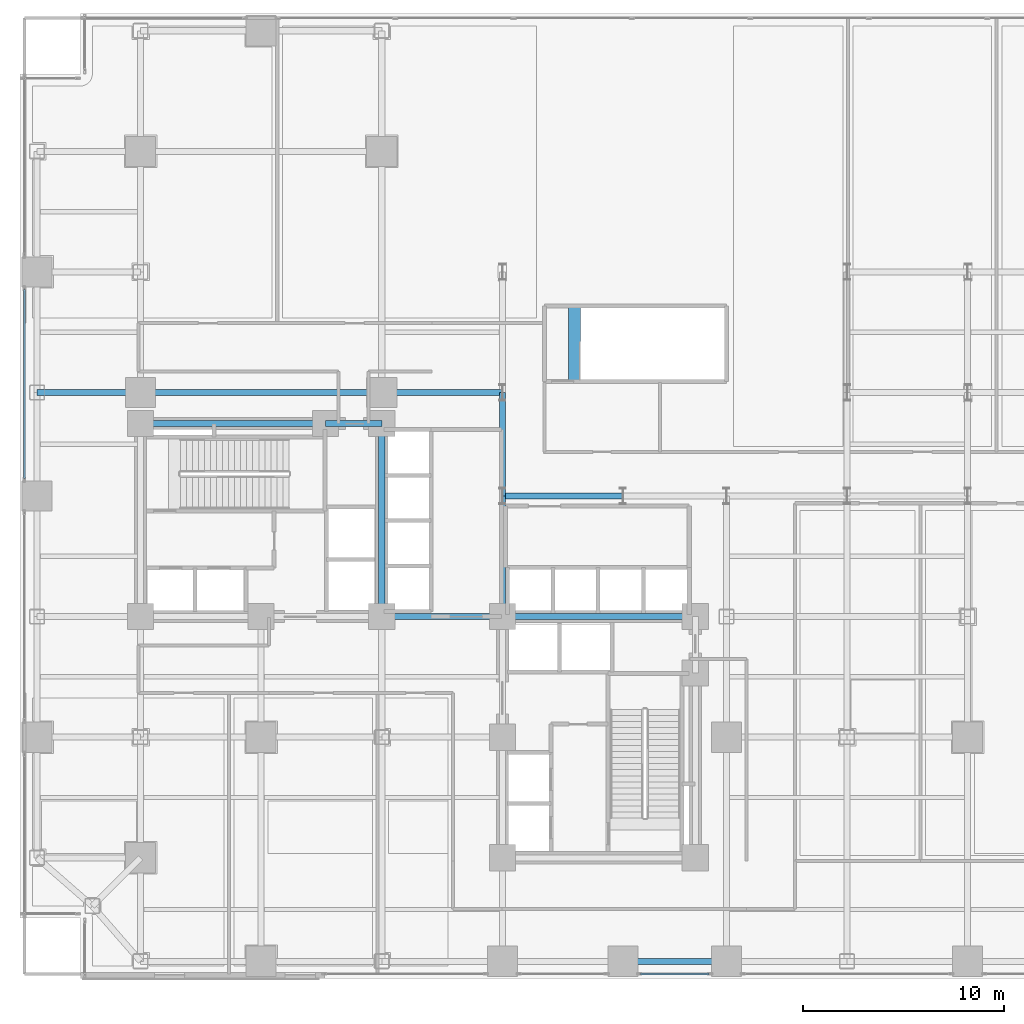
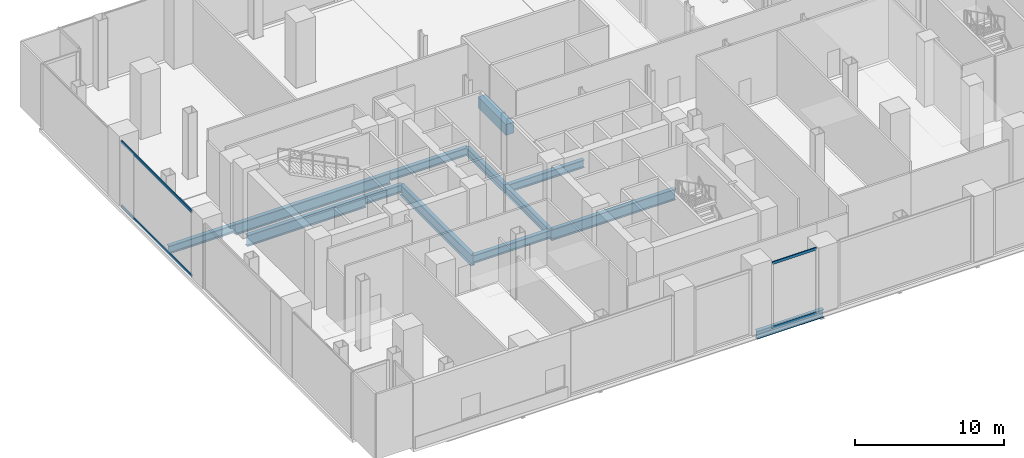
# One storey, part 8 of 27: 13 beams, 4 members, 2 elements without a shape of their own.
"""IFC4 building model written with IfcOpenShell, lengths in metres."""

from ifc_helpers import new_model, si_unit, direction, frame, origin, origin_2d, place, context, subcontext, project, spatial, rectangle, hollow_rectangle, i_section, extrude, material, layer, layer_set, material_profile, profile_set, type_object, element, aggregate, save


model = new_model("IFC4")

# Units and contexts
model_context = context("Model", 3, precision=1e-05, world=origin(), true_north=direction((0.0, 1.0)))
body_context = subcontext(model_context, "Body", "Model", "MODEL_VIEW")
ifc_project = project(units=[si_unit("LENGTHUNIT", "METRE"), si_unit("AREAUNIT", "SQUARE_METRE"), si_unit("VOLUMEUNIT", "CUBIC_METRE"), si_unit("PLANEANGLEUNIT", "RADIAN"), si_unit("MASSUNIT", "GRAM", prefix="KILO"), si_unit("THERMODYNAMICTEMPERATUREUNIT", "KELVIN"), si_unit("POWERUNIT", "WATT")], contexts=[model_context])

# Site, building, storey
site_placement = place(None, origin())
site = spatial("IfcSite", under=ifc_project, at=site_placement, CompositionType="ELEMENT")
building_placement = place(site_placement, origin())
building = spatial("IfcBuilding", under=site, at=building_placement, Name="Svarakhadi Broadcast Tower", CompositionType="ELEMENT")
storey_placement = place(building_placement, frame((0.0, 0.0, 21.89990234375)))
storey = spatial("IfcBuildingStorey", under=building, at=storey_placement, Name="L04", CompositionType="ELEMENT", Elevation=21.89990234375)

# Curtain wall, members
ifc_material_1 = material(Name="Anodised Bronze Aluminium AA 6063-T6", Category="aluminium")
ifc_layer = layer(ifc_material_1, 0.25)
ifc_layer_set = layer_set([ifc_layer], Name="Anodised Bronze Aluminium AA 6063-T6")
curtain_wall_type = type_object("IfcCurtainWallType", Name="CW_Sys_01", PredefinedType="NOTDEFINED", material=ifc_layer_set)
curtain_wall_1_placement = place(storey_placement, origin())
curtain_wall_1 = element("IfcCurtainWall", 1, at=curtain_wall_1_placement, inside=storey, type_object=curtain_wall_type, Name="L04 Unitised Facade Curtain Wall 02 Bay 3", PredefinedType="NOTDEFINED")
ifc_material_profile_1 = material_profile(ifc_material_1, hollow_rectangle(XDim=0.0849609375, YDim=0.219970703125, WallThickness=0.0048828125, at=origin_2d()), Name="ALU TRANSOM 220x85x5")
ifc_profile_set_1 = profile_set([ifc_material_profile_1], Name="Anodised Bronze Aluminium AA 6063-T6")
member_type = type_object("IfcMemberType", Name="CW_Sys_01_Trn", PredefinedType="USERDEFINED", material=ifc_profile_set_1)
member_1_placement = place(storey_placement, frame((0.219970703125, 24.864990234375, 0.04248046875), z_axis=(0.0, 1.0, 0.0), x_axis=(-1.0, 0.0, 0.0)))
member_1 = element("IfcMember", 2, at=member_1_placement, type_object=member_type, Name="CW-01 transom 1.1", ObjectType="TRANSOM", PredefinedType="USERDEFINED", context=body_context, shape_type="SweptSolid", body=[
    extrude(hollow_rectangle(XDim=0.0849609375, YDim=0.219970703125, WallThickness=0.0048828125, at=origin_2d()), origin(), (0.0, 0.0, 1.0), 9.419921875),
])
member_2_placement = place(storey_placement, frame((0.219970703125, 24.864990234375, 5.3076171875), z_axis=(0.0, 1.0, 0.0), x_axis=(-1.0, 0.0, 0.0)))
member_2 = element("IfcMember", 3, at=member_2_placement, type_object=member_type, Name="CW-01 transom 1.2", ObjectType="TRANSOM", PredefinedType="USERDEFINED", context=body_context, shape_type="SweptSolid", body=[
    extrude(hollow_rectangle(XDim=0.0849609375, YDim=0.219970703125, WallThickness=0.0048828125, at=origin_2d()), origin(), (0.0, 0.0, 1.0), 9.419921875),
])
aggregate(curtain_wall_1, [member_1, member_2])

curtain_wall_2_placement = place(storey_placement, origin())
curtain_wall_2 = element("IfcCurtainWall", 4, at=curtain_wall_2_placement, inside=storey, type_object=curtain_wall_type, Name="L04 South Curtain Wall 11 Bay 3", PredefinedType="NOTDEFINED")
member_3_placement = place(storey_placement, frame((34.284912109375, 0.219970703125, 0.04248046875), z_axis=(-1.0, 0.0, 0.0), x_axis=(0.0, -1.0, 0.0)))
member_3 = element("IfcMember", 5, at=member_3_placement, type_object=member_type, Name="CW-01 transom 1.1", ObjectType="TRANSOM", PredefinedType="USERDEFINED", context=body_context, shape_type="SweptSolid", body=[
    extrude(hollow_rectangle(XDim=0.0849609375, YDim=0.219970703125, WallThickness=0.0048828125, at=origin_2d()), origin(), (0.0, 0.0, 1.0), 3.419921875),
])
member_4_placement = place(storey_placement, frame((34.284912109375, 0.219970703125, 5.3076171875), z_axis=(-1.0, 0.0, 0.0), x_axis=(0.0, -1.0, 0.0)))
member_4 = element("IfcMember", 6, at=member_4_placement, type_object=member_type, Name="CW-01 transom 1.2", ObjectType="TRANSOM", PredefinedType="USERDEFINED", context=body_context, shape_type="SweptSolid", body=[
    extrude(hollow_rectangle(XDim=0.0849609375, YDim=0.219970703125, WallThickness=0.0048828125, at=origin_2d()), origin(), (0.0, 0.0, 1.0), 3.419921875),
])
aggregate(curtain_wall_2, [member_3, member_4])

# Beams
ifc_material_2 = material(Name="Concrete C50/60 (IS 456 M60)", Category="concrete")
ifc_material_profile_2 = material_profile(ifc_material_2, rectangle(XDim=0.60009765625, YDim=0.89990234375, at=origin_2d()), Name="RC 600x900")
ifc_profile_set_2 = profile_set([ifc_material_profile_2], Name="Concrete C50/60 (IS 456 M60)")
beam_type_1 = type_object("IfcBeamType", Name="Coupling_RC600", PredefinedType="USERDEFINED", material=ifc_profile_set_2)
beam_1_placement = place(storey_placement, frame((27.60009765625, 29.699951171875, -0.449951171875), z_axis=(0.0, 1.0, 0.0), x_axis=(-1.0, 0.0, 0.0)))
element("IfcBeam", 7, at=beam_1_placement, inside=storey, type_object=beam_type_1, Name="L04 Stair ST-03 Landing Throat Trimmer Beam CB-01", ObjectType="GIRDER", PredefinedType="USERDEFINED", context=body_context, shape_type="SweptSolid", body=[
    extrude(rectangle(XDim=0.60009765625, YDim=0.89990234375, at=origin_2d()), origin(), (0.0, 0.0, 1.0), 3.760009765625),
])
ifc_material_3 = material(Name="Steel S355J2 (IS 2062 E350C)", Category="steel")
ifc_material_profile_3 = material_profile(ifc_material_3, i_section(OverallWidth=0.300048828125, OverallDepth=0.64990234375, WebThickness=0.01611328125, FlangeThickness=0.031005859375, FilletRadius=0.027099609375, at=origin_2d()), Name="WPB 650x300x225")
ifc_profile_set_3 = profile_set([ifc_material_profile_3], Name="Steel S355J2 (IS 2062 E350C)")
beam_type_2 = type_object("IfcBeamType", Name="Girder_WPB650", PredefinedType="USERDEFINED", material=ifc_profile_set_3)
beam_2_placement = place(storey_placement, frame((30.0, 0.85009765625, -0.599853515625), z_axis=(1.0, 0.0, 0.0), x_axis=(0.0, 1.0, 0.0)))
element("IfcBeam", 8, at=beam_2_placement, inside=storey, type_object=beam_type_2, Name="L04 Primary E-W Girder G008", ObjectType="GIRDER", PredefinedType="USERDEFINED", context=body_context, shape_type="SweptSolid", body=[
    extrude(i_section(OverallWidth=0.300048828125, OverallDepth=0.64990234375, WebThickness=0.01611328125, FlangeThickness=0.031005859375, FilletRadius=0.027099609375, at=origin_2d()), origin(), (0.0, 0.0, 1.0), 5.14990234375),
])
for number, where, z_axis, x_axis, name in (
    (9, (18.0, 18.0, -0.599853515625), (1.0, 0.0, 0.0), (0.0, 1.0, 0.0), "L04 Primary E-W Girder G023"),
    (10, (24.0, 24.0, -0.599853515625), (1.0, 0.0, 0.0), (0.0, 1.0, 0.0), "L04 Primary E-W Girder G026"),
):
    element("IfcBeam", number, at=place(storey_placement, frame(where, z_axis=z_axis, x_axis=x_axis)), inside=storey, type_object=beam_type_2, Name=name, ObjectType="GIRDER", PredefinedType="USERDEFINED", context=body_context, shape_type="SweptSolid", body=[
        extrude(i_section(OverallWidth=0.300048828125, OverallDepth=0.64990234375, WebThickness=0.01611328125, FlangeThickness=0.031005859375, FilletRadius=0.027099609375, at=origin_2d()), origin(), (0.0, 0.0, 1.0), 6.0),
    ])
beam_3_placement = place(storey_placement, frame((15.199951171875, 27.60009765625, -0.599853515625), z_axis=(1.0, 0.0, 0.0), x_axis=(0.0, 1.0, 0.0)))
element("IfcBeam", 11, at=beam_3_placement, inside=storey, type_object=beam_type_2, Name="L04 Primary E-W Girder G031", ObjectType="GIRDER", PredefinedType="USERDEFINED", context=body_context, shape_type="SweptSolid", body=[
    extrude(i_section(OverallWidth=0.300048828125, OverallDepth=0.64990234375, WebThickness=0.01611328125, FlangeThickness=0.031005859375, FilletRadius=0.027099609375, at=origin_2d()), origin(), (0.0, 0.0, 1.0), 2.800048828125),
])
beam_4_placement = place(storey_placement, frame((0.85009765625, 29.14990234375, -0.599853515625), z_axis=(1.0, 0.0, 0.0), x_axis=(0.0, 1.0, 0.0)))
element("IfcBeam", 12, at=beam_4_placement, inside=storey, type_object=beam_type_2, Name="L04 Primary E-W Girder G032", ObjectType="GIRDER", PredefinedType="USERDEFINED", context=body_context, shape_type="SweptSolid", body=[
    extrude(i_section(OverallWidth=0.300048828125, OverallDepth=0.64990234375, WebThickness=0.01611328125, FlangeThickness=0.031005859375, FilletRadius=0.027099609375, at=origin_2d()), origin(), (0.0, 0.0, 1.0), 5.14990234375),
])
for number, where, z_axis, x_axis, name in (
    (13, (18.0, 29.14990234375, -0.599853515625), (1.0, 0.0, 0.0), (0.0, 1.0, 0.0), "L04 Primary E-W Girder G034"),
    (14, (24.0, 18.0, -0.599853515625), (0.0, 1.0, 0.0), (-1.0, 0.0, 0.0), "L04 Primary N-S Girder G067"),
):
    element("IfcBeam", number, at=place(storey_placement, frame(where, z_axis=z_axis, x_axis=x_axis)), inside=storey, type_object=beam_type_2, Name=name, ObjectType="GIRDER", PredefinedType="USERDEFINED", context=body_context, shape_type="SweptSolid", body=[
        extrude(i_section(OverallWidth=0.300048828125, OverallDepth=0.64990234375, WebThickness=0.01611328125, FlangeThickness=0.031005859375, FilletRadius=0.027099609375, at=origin_2d()), origin(), (0.0, 0.0, 1.0), 6.0),
    ])
beam_5_placement = place(storey_placement, frame((24.0, 24.0, -0.599853515625), z_axis=(0.0, 1.0, 0.0), x_axis=(-1.0, 0.0, 0.0)))
element("IfcBeam", 15, at=beam_5_placement, inside=storey, type_object=beam_type_2, Name="L04 Primary N-S Girder G068", ObjectType="GIRDER", PredefinedType="USERDEFINED", context=body_context, shape_type="SweptSolid", body=[
    extrude(i_section(OverallWidth=0.300048828125, OverallDepth=0.64990234375, WebThickness=0.01611328125, FlangeThickness=0.031005859375, FilletRadius=0.027099609375, at=origin_2d()), origin(), (0.0, 0.0, 1.0), 5.14990234375),
])
ifc_material_4 = material(Name="Steel S460ML (IS 2062 E450BR)", Category="steel")
ifc_material_profile_4 = material_profile(ifc_material_4, i_section(OverallWidth=0.300048828125, OverallDepth=0.89990234375, WebThickness=0.0185546875, FlangeThickness=0.034912109375, FilletRadius=0.030029296875, at=origin_2d()), Name="WPB 900x300x291")
ifc_profile_set_4 = profile_set([ifc_material_profile_4], Name="Steel S460ML (IS 2062 E450BR)")
beam_type_3 = type_object("IfcBeamType", Name="Girder_WPB900", PredefinedType="USERDEFINED", material=ifc_profile_set_4)
beam_6_placement = place(storey_placement, frame((24.0, 18.0, -0.724853515625), z_axis=(1.0, 0.0, 0.0), x_axis=(0.0, 1.0, 0.0)))
element("IfcBeam", 16, at=beam_6_placement, inside=storey, type_object=beam_type_3, Name="L04 Primary E-W Girder G024", ObjectType="GIRDER", PredefinedType="USERDEFINED", context=body_context, shape_type="SweptSolid", body=[
    extrude(i_section(OverallWidth=0.300048828125, OverallDepth=0.89990234375, WebThickness=0.0185546875, FlangeThickness=0.034912109375, FilletRadius=0.030029296875, at=origin_2d()), origin(), (0.0, 0.0, 1.0), 9.60009765625),
])
beam_7_placement = place(storey_placement, frame((6.0, 27.60009765625, -0.724853515625), z_axis=(1.0, 0.0, 0.0), x_axis=(0.0, 1.0, 0.0)))
element("IfcBeam", 17, at=beam_7_placement, inside=storey, type_object=beam_type_3, Name="L04 Primary E-W Girder G030", ObjectType="GIRDER", PredefinedType="USERDEFINED", context=body_context, shape_type="SweptSolid", body=[
    extrude(i_section(OverallWidth=0.300048828125, OverallDepth=0.89990234375, WebThickness=0.0185546875, FlangeThickness=0.034912109375, FilletRadius=0.030029296875, at=origin_2d()), origin(), (0.0, 0.0, 1.0), 9.199951171875),
])
beam_8_placement = place(storey_placement, frame((6.0, 29.14990234375, -0.724853515625), z_axis=(1.0, 0.0, 0.0), x_axis=(0.0, 1.0, 0.0)))
element("IfcBeam", 18, at=beam_8_placement, inside=storey, type_object=beam_type_3, Name="L04 Primary E-W Girder G033", ObjectType="GIRDER", PredefinedType="USERDEFINED", context=body_context, shape_type="SweptSolid", body=[
    extrude(i_section(OverallWidth=0.300048828125, OverallDepth=0.89990234375, WebThickness=0.0185546875, FlangeThickness=0.034912109375, FilletRadius=0.030029296875, at=origin_2d()), origin(), (0.0, 0.0, 1.0), 12.0),
])
beam_9_placement = place(storey_placement, frame((18.0, 18.0, -0.724853515625), z_axis=(0.0, 1.0, 0.0), x_axis=(-1.0, 0.0, 0.0)))
element("IfcBeam", 19, at=beam_9_placement, inside=storey, type_object=beam_type_3, Name="L04 Primary N-S Girder G061", ObjectType="GIRDER", PredefinedType="USERDEFINED", context=body_context, shape_type="SweptSolid", body=[
    extrude(i_section(OverallWidth=0.300048828125, OverallDepth=0.89990234375, WebThickness=0.0185546875, FlangeThickness=0.034912109375, FilletRadius=0.030029296875, at=origin_2d()), origin(), (0.0, 0.0, 1.0), 9.60009765625),
])

save(model, "model.ifc")
